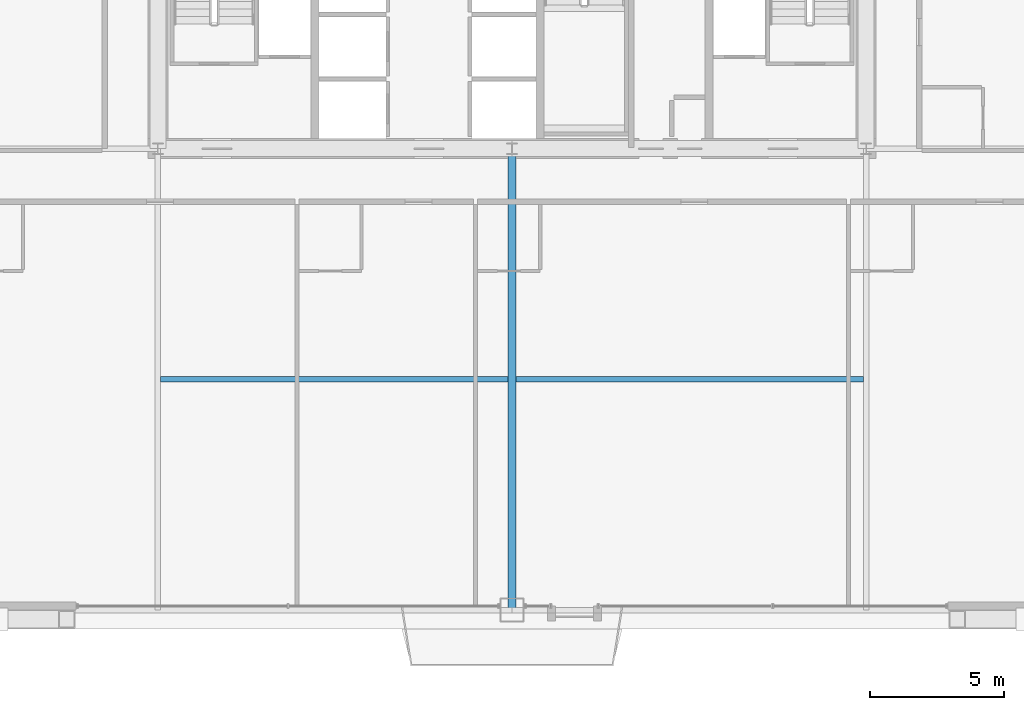
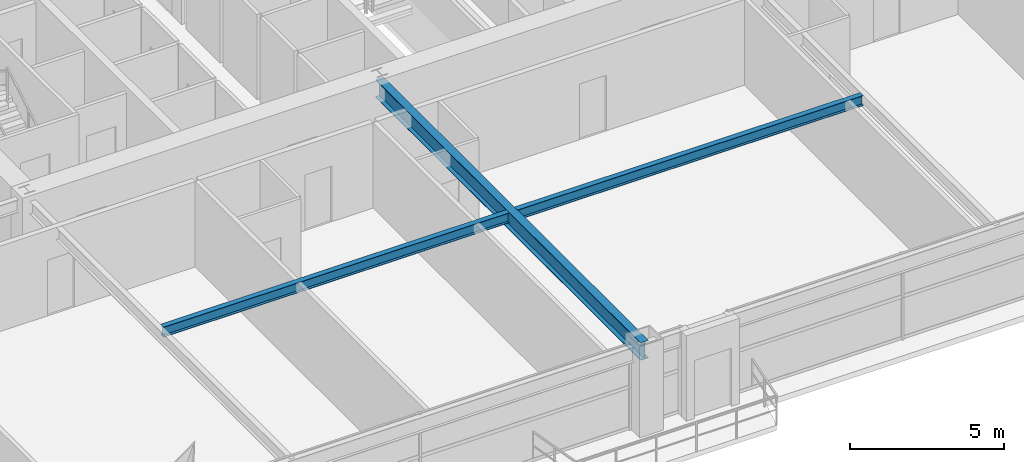
# One storey, part 9 of 41: 3 beams.
"""IFC4 building model written with IfcOpenShell, lengths in metres."""

from ifc_helpers import new_model, si_unit, direction, frame, origin, origin_2d, place, context, subcontext, project, spatial, i_section, extrude, source, transform, mapped, material, material_profile, profile_set, type_object, element, save


model = new_model("IFC4")

# Units and contexts
model_context = context("Model", 3, precision=1e-05, world=origin(), true_north=direction((0.0, 1.0)))
body_context = subcontext(model_context, "Body", "Model", "MODEL_VIEW")
ifc_project = project(units=[si_unit("LENGTHUNIT", "METRE"), si_unit("AREAUNIT", "SQUARE_METRE"), si_unit("VOLUMEUNIT", "CUBIC_METRE"), si_unit("PLANEANGLEUNIT", "RADIAN"), si_unit("MASSUNIT", "GRAM", prefix="KILO"), si_unit("THERMODYNAMICTEMPERATUREUNIT", "KELVIN"), si_unit("POWERUNIT", "WATT")], contexts=[model_context])

# Site, building, storey
site_placement = place(None, origin())
site = spatial("IfcSite", under=ifc_project, at=site_placement, CompositionType="ELEMENT")
building_placement = place(site_placement, origin())
building = spatial("IfcBuilding", under=site, at=building_placement, Name="Yuzanri Waterfront Tower", CompositionType="ELEMENT")
storey_placement = place(building_placement, frame((0.0, 0.0, 122.60009765625)))
storey = spatial("IfcBuildingStorey", under=building, at=storey_placement, Name="L32", CompositionType="ELEMENT", Elevation=122.60009765625)

# Beams
ifc_material_1 = material(Name="Steel Q355B", Category="steel")
ifc_material_profile_1 = material_profile(ifc_material_1, i_section(OverallWidth=0.199951171875, OverallDepth=0.39990234375, WebThickness=0.008056640625, FlangeThickness=0.012939453125, at=origin_2d()), Name="HN 400x200x8x13")
ifc_profile_set_1 = profile_set([ifc_material_profile_1], Name="Steel Q355B")
beam_type_1 = type_object("IfcBeamType", Name="Floor Joist Q355B HN 400x200", PredefinedType="JOIST", material=ifc_profile_set_1)
shared_shape_1 = source(origin(), body_context, "Body", "SweptSolid", [
    extrude(i_section(OverallWidth=0.199951171875, OverallDepth=0.39990234375, WebThickness=0.008056640625, FlangeThickness=0.012939453125, at=origin_2d()), origin(), (0.0, 0.0, 1.0), 12.9501953125),
])
for number, where, z_axis, x_axis, name in (
    (1, (23.89990234375, 10.800048828125, 3.179931640625), (1.0, 0.0, 0.0), (0.0, 1.0, 0.0), "L32 South Bay Joist W"),
    (2, (37.14990234375, 10.800048828125, 3.179931640625), (1.0, 0.0, 0.0), (0.0, 1.0, 0.0), "L32 South Bay Joist E"),
):
    element("IfcBeam", number, at=place(storey_placement, frame(where, z_axis=z_axis, x_axis=x_axis)), inside=storey, type_object=beam_type_1, Name=name, PredefinedType="JOIST", context=body_context, shape_type="MappedRepresentation", body=[
        mapped(shared_shape_1, transform((0.0, 0.0, 0.0), scale=1.0)),
    ])
ifc_material_2 = material(Name="Steel Q355B", Category="steel")
ifc_material_profile_2 = material_profile(ifc_material_2, i_section(OverallWidth=0.300048828125, OverallDepth=0.699951171875, WebThickness=0.012939453125, FlangeThickness=0.02392578125, at=origin_2d()), Name="HN 700x300x13x24")
ifc_profile_set_2 = profile_set([ifc_material_profile_2], Name="Steel Q355B")
beam_type_2 = type_object("IfcBeamType", Name="Primary Floor Girder Q355B HN 700x300", PredefinedType="BEAM", material=ifc_profile_set_2)
shared_shape_2 = source(origin(), body_context, "Body", "SweptSolid", [
    extrude(i_section(OverallWidth=0.300048828125, OverallDepth=0.699951171875, WebThickness=0.012939453125, FlangeThickness=0.02392578125, at=origin_2d()), origin(), (0.0, 0.0, 1.0), 17.199951171875),
])
beam_placement = place(storey_placement, frame((37.0, 19.39990234375, 3.02978515625), z_axis=(0.0, -1.0, 0.0), x_axis=(1.0, 0.0, 0.0)))
element("IfcBeam", 3, at=beam_placement, inside=storey, type_object=beam_type_2, Name="L32 South Grid Girder", PredefinedType="BEAM", context=body_context, shape_type="MappedRepresentation", body=[
    mapped(shared_shape_2, transform((0.0, 0.0, 0.0), scale=1.0)),
])

save(model, "model.ifc")
